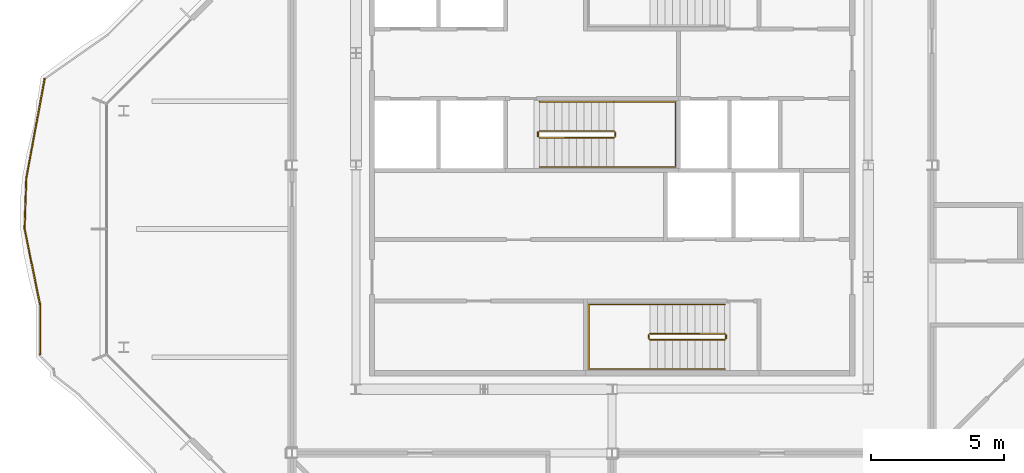
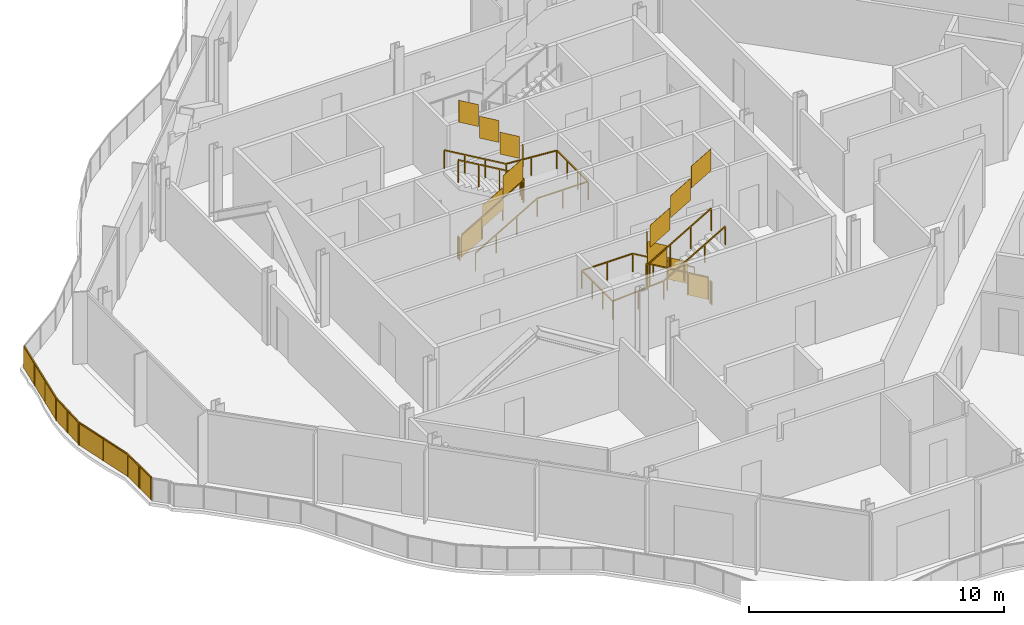
# One storey, part 13 of 16: 7 railings.
"""IFC4 building model written with IfcOpenShell, lengths in metres."""

from ifc_helpers import new_model, si_unit, direction, frame, origin, origin_2d, place, context, subcontext, project, spatial, polyline, rectangle, outline, extrude, material, type_object, element, save


model = new_model("IFC4")

# Units and contexts
model_context = context("Model", 3, precision=1e-05, world=origin(), true_north=direction((0.0, 1.0)))
body_context = subcontext(model_context, "Body", "Model", "MODEL_VIEW")
ifc_project = project(units=[si_unit("LENGTHUNIT", "METRE"), si_unit("AREAUNIT", "SQUARE_METRE"), si_unit("VOLUMEUNIT", "CUBIC_METRE"), si_unit("PLANEANGLEUNIT", "RADIAN"), si_unit("MASSUNIT", "GRAM", prefix="KILO")], contexts=[model_context])

# Site, building, storey
site_placement = place(None, origin())
site = spatial("IfcSite", under=ifc_project, at=site_placement, CompositionType="ELEMENT")
building_placement = place(site_placement, origin())
building = spatial("IfcBuilding", under=site, at=building_placement, Name="Cairn Pilgrim Tower", CompositionType="ELEMENT")
storey_placement = place(building_placement, frame((0.0, 0.0, 267.0)))
storey = spatial("IfcBuildingStorey", under=building, at=storey_placement, Name="L68", CompositionType="ELEMENT", Elevation=267.0)

# Railings
ifc_material_1 = material(Name="Bronze anodised aluminium rail and posts with laminated glass infill", Category="aluminium")
railing_type_1 = type_object("IfcRailingType", Name="BALCONY GUARD 1100", PredefinedType="GUARDRAIL", material=ifc_material_1)
railing_1_placement = place(storey_placement, frame((-14.072021484375, 5.626953125, 0.0)))
element("IfcRailing", 1, at=railing_1_placement, inside=storey, type_object=railing_type_1, Name="Balcony guard BG-6", PredefinedType="GUARDRAIL", context=body_context, shape_type="SweptSolid", body=[
    extrude(rectangle(XDim=0.050048828125, YDim=0.050048828125, at=origin_2d()), frame((0.0, 0.0, 1.0751953125), z_axis=(-0.181772915878, -0.983340534634, 0.0), x_axis=(0.983340534634, -0.181772915878, 0.0)), (0.0, 0.0, 1.0), 3.7861328125),
    extrude(rectangle(XDim=0.050048828125, YDim=0.050048828125, at=origin_2d()), frame((-0.688232421875, -3.72314453125, 1.0751953125), z_axis=(-0.03393345428, -0.999424094507, 0.0), x_axis=(0.999424094507, -0.03393345428, 0.0)), (0.0, 0.0, 1.0), 1.89208984375),
    extrude(rectangle(XDim=0.050048828125, YDim=0.050048828125, at=origin_2d()), frame((-0.75244140625, -5.6142578125, 1.0751953125), z_axis=(0.199407081837, -0.979916739174, 0.0), x_axis=(0.979916739174, 0.199407081837, 0.0)), (0.0, 0.0, 1.0), 2.880859375),
    extrude(rectangle(XDim=0.050048828125, YDim=0.050048828125, at=origin_2d()), frame((-0.177978515625, -8.437255859375, 1.0751953125), z_axis=(0.0, -1.0, 0.0), x_axis=(1.0, 0.0, 0.0)), (0.0, 0.0, 1.0), 1.86767578125),
    extrude(rectangle(XDim=0.050048828125, YDim=0.050048828125, at=origin_2d()), origin(), (0.0, 0.0, 1.0), 1.050048828125),
    extrude(rectangle(XDim=0.050048828125, YDim=0.050048828125, at=origin_2d()), frame((-0.2294921875, -1.240966796875, 0.0)), (0.0, 0.0, 1.0), 1.050048828125),
    extrude(rectangle(XDim=0.050048828125, YDim=0.050048828125, at=origin_2d()), frame((-0.458740234375, -2.482177734375, 0.0)), (0.0, 0.0, 1.0), 1.050048828125),
    extrude(rectangle(XDim=0.050048828125, YDim=0.050048828125, at=origin_2d()), frame((-0.688232421875, -3.72314453125, 0.0)), (0.0, 0.0, 1.0), 1.050048828125),
    extrude(rectangle(XDim=0.050048828125, YDim=0.050048828125, at=origin_2d()), frame((-0.72021484375, -4.668701171875, 0.0)), (0.0, 0.0, 1.0), 1.050048828125),
    extrude(rectangle(XDim=0.050048828125, YDim=0.050048828125, at=origin_2d()), frame((-0.75244140625, -5.6142578125, 0.0)), (0.0, 0.0, 1.0), 1.050048828125),
    extrude(rectangle(XDim=0.050048828125, YDim=0.050048828125, at=origin_2d()), frame((-0.46533203125, -7.02587890625, 0.0)), (0.0, 0.0, 1.0), 1.050048828125),
    extrude(rectangle(XDim=0.050048828125, YDim=0.050048828125, at=origin_2d()), frame((-0.177978515625, -8.437255859375, 0.0)), (0.0, 0.0, 1.0), 1.050048828125),
    extrude(rectangle(XDim=0.050048828125, YDim=0.050048828125, at=origin_2d()), frame((-0.177978515625, -9.37109375, 0.0)), (0.0, 0.0, 1.0), 1.050048828125),
    extrude(rectangle(XDim=0.050048828125, YDim=0.050048828125, at=origin_2d()), frame((-0.177978515625, -10.304931640625, 0.0)), (0.0, 0.0, 1.0), 1.050048828125),
    extrude(outline(polyline([(0.02490234375, 0.0), (1.237060546875, 0.0), (1.237060546875, 1.050048828125), (0.02490234375, 1.050048828125), (0.02490234375, 0.0)])), frame((0.005859375, -0.0009765625, 0.0), z_axis=(-0.983340534634, 0.181772915878, 0.0), x_axis=(-0.181772915878, -0.983340534634, 0.0)), (0.0, 0.0, 1.0), 0.011962890625),
    extrude(outline(polyline([(0.02490234375, 0.0), (1.237060546875, 0.0), (1.237060546875, 1.050048828125), (0.02490234375, 1.050048828125), (0.02490234375, 0.0)])), frame((-0.2236328125, -1.2421875, 0.0), z_axis=(-0.983340534634, 0.181772915878, 0.0), x_axis=(-0.181772915878, -0.983340534634, 0.0)), (0.0, 0.0, 1.0), 0.011962890625),
    extrude(outline(polyline([(0.02490234375, 0.0), (1.237060546875, 0.0), (1.237060546875, 1.050048828125), (0.02490234375, 1.050048828125), (0.02490234375, 0.0)])), frame((-0.452880859375, -2.483154296875, 0.0), z_axis=(-0.983340534634, 0.181772915878, 0.0), x_axis=(-0.181772915878, -0.983340534634, 0.0)), (0.0, 0.0, 1.0), 0.011962890625),
    extrude(outline(polyline([(0.02490234375, 0.0), (0.921142578125, 0.0), (0.921142578125, 1.050048828125), (0.02490234375, 1.050048828125), (0.02490234375, 0.0)])), frame((-0.682373046875, -3.723388671875, 0.0), z_axis=(-0.999424094507, 0.03393345428, 0.0), x_axis=(-0.03393345428, -0.999424094507, 0.0)), (0.0, 0.0, 1.0), 0.011962890625),
    extrude(outline(polyline([(0.02490234375, 0.0), (0.921142578125, 0.0), (0.921142578125, 1.050048828125), (0.02490234375, 1.050048828125), (0.02490234375, 0.0)])), frame((-0.71435546875, -4.6689453125, 0.0), z_axis=(-0.999424094507, 0.03393345428, 0.0), x_axis=(-0.03393345428, -0.999424094507, 0.0)), (0.0, 0.0, 1.0), 0.011962890625),
    extrude(outline(polyline([(0.02490234375, 0.0), (1.415283203125, 0.0), (1.415283203125, 1.050048828125), (0.02490234375, 1.050048828125), (0.02490234375, 0.0)])), frame((-0.74658203125, -5.613037109375, 0.0), z_axis=(-0.979916739174, -0.199407081837, 0.0), x_axis=(0.199407081837, -0.979916739174, 0.0)), (0.0, 0.0, 1.0), 0.011962890625),
    extrude(outline(polyline([(0.02490234375, 0.0), (1.415283203125, 0.0), (1.415283203125, 1.050048828125), (0.02490234375, 1.050048828125), (0.02490234375, 0.0)])), frame((-0.459228515625, -7.024658203125, 0.0), z_axis=(-0.979916739174, -0.199407081837, 0.0), x_axis=(0.199407081837, -0.979916739174, 0.0)), (0.0, 0.0, 1.0), 0.011962890625),
    extrude(outline(polyline([(0.02490234375, 0.0), (0.90869140625, 0.0), (0.90869140625, 1.050048828125), (0.02490234375, 1.050048828125), (0.02490234375, 0.0)])), frame((-0.171875, -8.437255859375, 0.0), z_axis=(-1.0, 0.0, 0.0), x_axis=(0.0, -1.0, 0.0)), (0.0, 0.0, 1.0), 0.011962890625),
    extrude(outline(polyline([(0.02490234375, 0.0), (0.90869140625, 0.0), (0.90869140625, 1.050048828125), (0.02490234375, 1.050048828125), (0.02490234375, 0.0)])), frame((-0.171875, -9.37109375, 0.0), z_axis=(-1.0, 0.0, 0.0), x_axis=(0.0, -1.0, 0.0)), (0.0, 0.0, 1.0), 0.011962890625),
])
ifc_material_2 = material(Name="Painted steel", Category="steel")
railing_type_2 = type_object("IfcRailingType", Name="STAIR GUARD 1100", PredefinedType="GUARDRAIL", material=ifc_material_2)
railing_2_placement = place(storey_placement, frame((11.425048828125, -3.925048828125, 0.16357421875)))
element("IfcRailing", 2, at=railing_2_placement, inside=storey, type_object=railing_type_2, Name="L68 ST-A stair guard 1", PredefinedType="GUARDRAIL", context=body_context, shape_type="SweptSolid", body=[
    extrude(rectangle(XDim=0.048095703125, YDim=0.048095703125, at=origin_2d()), frame((0.0, 0.0, 1.076171875), z_axis=(-0.863360870873, 0.0, 0.504586966384), x_axis=(0.0, -1.0, 0.0)), (0.0, 0.0, 1.0), 3.2431640625),
    extrude(rectangle(XDim=0.048095703125, YDim=0.048095703125, at=origin_2d()), frame((-2.800048828125, 0.0, 2.71240234375), z_axis=(-0.707106781187, -0.707106781187, 0.0), x_axis=(0.707106781187, -0.707106781187, 0.0)), (0.0, 0.0, 1.0), 0.07080078125),
    extrude(rectangle(XDim=0.048095703125, YDim=0.048095703125, at=origin_2d()), frame((-2.85009765625, -0.050048828125, 2.71240234375), z_axis=(0.0, -1.0, 0.0), x_axis=(1.0, 0.0, 0.0)), (0.0, 0.0, 1.0), 0.125),
    extrude(rectangle(XDim=0.048095703125, YDim=0.048095703125, at=origin_2d()), frame((-2.85009765625, -0.175048828125, 2.71240234375), z_axis=(0.280916556609, -0.279546231943, 0.91811752648), x_axis=(0.705375805398, 0.708833529934, 0.0)), (0.0, 0.0, 1.0), 0.17822265625),
    extrude(rectangle(XDim=0.048095703125, YDim=0.048095703125, at=origin_2d()), frame((-2.800048828125, -0.224853515625, 2.8759765625), z_axis=(0.863360870873, 0.0, 0.504586966384), x_axis=(0.0, 1.0, 0.0)), (0.0, 0.0, 1.0), 3.2431640625),
    extrude(rectangle(XDim=0.0419921875, YDim=0.0419921875, at=origin_2d()), origin(), (0.0, 0.0, 1.0), 1.052001953125),
    extrude(rectangle(XDim=0.0419921875, YDim=0.0419921875, at=origin_2d()), frame((-0.933349609375, 0.0, 0.54541015625)), (0.0, 0.0, 1.0), 1.052001953125),
    extrude(rectangle(XDim=0.0419921875, YDim=0.0419921875, at=origin_2d()), frame((-1.86669921875, 0.0, 1.091064453125)), (0.0, 0.0, 1.0), 1.052001953125),
    extrude(rectangle(XDim=0.0419921875, YDim=0.0419921875, at=origin_2d()), frame((-2.800048828125, 0.0, 1.636474609375)), (0.0, 0.0, 1.0), 1.052001953125),
    extrude(rectangle(XDim=0.0419921875, YDim=0.0419921875, at=origin_2d()), frame((-2.85009765625, -0.050048828125, 1.636474609375)), (0.0, 0.0, 1.0), 1.052001953125),
    extrude(rectangle(XDim=0.0419921875, YDim=0.0419921875, at=origin_2d()), frame((-2.85009765625, -0.175048828125, 1.636474609375)), (0.0, 0.0, 1.0), 1.052001953125),
    extrude(rectangle(XDim=0.0419921875, YDim=0.0419921875, at=origin_2d()), frame((-2.800048828125, -0.224853515625, 1.800048828125)), (0.0, 0.0, 1.0), 1.052001953125),
    extrude(rectangle(XDim=0.0419921875, YDim=0.0419921875, at=origin_2d()), frame((-1.86669921875, -0.224853515625, 2.345458984375)), (0.0, 0.0, 1.0), 1.052001953125),
    extrude(rectangle(XDim=0.0419921875, YDim=0.0419921875, at=origin_2d()), frame((-0.933349609375, -0.224853515625, 2.89111328125)), (0.0, 0.0, 1.0), 1.052001953125),
    extrude(rectangle(XDim=0.0419921875, YDim=0.0419921875, at=origin_2d()), frame((0.0, -0.224853515625, 3.4365234375)), (0.0, 0.0, 1.0), 1.052001953125),
    extrude(outline(polyline([(0.02099609375, 0.01220703125), (0.912353515625, 0.533203125), (0.912353515625, 1.585205078125), (0.02099609375, 1.064208984375), (0.02099609375, 0.01220703125)])), frame((0.0, -0.005859375, 0.0), z_axis=(0.0, 1.0, 0.0), x_axis=(-1.0, 0.0, 0.0)), (0.0, 0.0, 1.0), 0.011962890625),
    extrude(outline(polyline([(0.02099609375, 0.557861328125), (0.912353515625, 1.07861328125), (0.912353515625, 2.130615234375), (0.02099609375, 1.60986328125), (0.02099609375, 0.557861328125)])), frame((-0.933349609375, -0.005859375, 0.54541015625), z_axis=(0.0, 1.0, 0.0), x_axis=(-1.0, 0.0, 0.0)), (0.0, 0.0, 1.0), 0.011962890625),
    extrude(outline(polyline([(0.02099609375, 1.103271484375), (0.912353515625, 1.624267578125), (0.912353515625, 2.67626953125), (0.02099609375, 2.1552734375), (0.02099609375, 1.103271484375)])), frame((-1.86669921875, -0.005859375, 1.091064453125), z_axis=(0.0, 1.0, 0.0), x_axis=(-1.0, 0.0, 0.0)), (0.0, 0.0, 1.0), 0.011962890625),
    extrude(outline(polyline([(0.02099609375, 1.636474609375), (0.10400390625, 1.636474609375), (0.10400390625, 2.6884765625), (0.02099609375, 2.6884765625), (0.02099609375, 1.636474609375)])), frame((-2.84423828125, -0.050048828125, 1.636474609375), z_axis=(-1.0, 0.0, 0.0), x_axis=(0.0, -1.0, 0.0)), (0.0, 0.0, 1.0), 0.011962890625),
    extrude(outline(polyline([(0.02099609375, 1.812255859375), (0.912353515625, 2.333251953125), (0.912353515625, 3.38525390625), (0.02099609375, 2.8642578125), (0.02099609375, 1.812255859375)])), frame((-2.800048828125, -0.21875, 1.800048828125), z_axis=(0.0, -1.0, 0.0), x_axis=(1.0, 0.0, 0.0)), (0.0, 0.0, 1.0), 0.011962890625),
    extrude(outline(polyline([(0.02099609375, 2.35791015625), (0.912353515625, 2.878662109375), (0.912353515625, 3.9306640625), (0.02099609375, 3.409912109375), (0.02099609375, 2.35791015625)])), frame((-1.86669921875, -0.21875, 2.345458984375), z_axis=(0.0, -1.0, 0.0), x_axis=(1.0, 0.0, 0.0)), (0.0, 0.0, 1.0), 0.011962890625),
    extrude(outline(polyline([(0.02099609375, 2.9033203125), (0.912353515625, 3.42431640625), (0.912353515625, 4.476318359375), (0.02099609375, 3.955322265625), (0.02099609375, 2.9033203125)])), frame((-0.933349609375, -0.21875, 2.89111328125), z_axis=(0.0, -1.0, 0.0), x_axis=(1.0, 0.0, 0.0)), (0.0, 0.0, 1.0), 0.011962890625),
])
railing_3_placement = place(storey_placement, frame((11.47509765625, -3.97509765625, 0.0)))
element("IfcRailing", 3, at=railing_3_placement, inside=storey, type_object=railing_type_2, Name="L68 ST-A stair guard 2", PredefinedType="GUARDRAIL", context=body_context, shape_type="SweptSolid", body=[
    extrude(rectangle(XDim=0.048095703125, YDim=0.048095703125, at=origin_2d()), frame((0.0, 0.0, 1.076171875), z_axis=(0.0, -1.0, 0.0), x_axis=(1.0, 0.0, 0.0)), (0.0, 0.0, 1.0), 0.125),
    extrude(rectangle(XDim=0.0419921875, YDim=0.0419921875, at=origin_2d()), origin(), (0.0, 0.0, 1.0), 1.052001953125),
    extrude(rectangle(XDim=0.0419921875, YDim=0.0419921875, at=origin_2d()), frame((0.0, -0.125, 0.0)), (0.0, 0.0, 1.0), 1.052001953125),
    extrude(outline(polyline([(0.02099609375, 0.0), (0.10400390625, 0.0), (0.10400390625, 1.052001953125), (0.02099609375, 1.052001953125), (0.02099609375, 0.0)])), frame((0.005859375, 0.0, 0.0), z_axis=(-1.0, 0.0, 0.0), x_axis=(0.0, -1.0, 0.0)), (0.0, 0.0, 1.0), 0.011962890625),
])
railing_4_placement = place(storey_placement, frame((4.47509765625, 3.425048828125, 0.16357421875)))
element("IfcRailing", 4, at=railing_4_placement, inside=storey, type_object=railing_type_2, Name="L68 ST-B stair guard 1", PredefinedType="GUARDRAIL", context=body_context, shape_type="SweptSolid", body=[
    extrude(rectangle(XDim=0.048095703125, YDim=0.048095703125, at=origin_2d()), frame((0.0, 0.0, 1.076171875), z_axis=(0.863341702679, 0.0, 0.504619762213), x_axis=(0.0, 1.0, 0.0)), (0.0, 0.0, 1.0), 3.242919921875),
    extrude(rectangle(XDim=0.048095703125, YDim=0.048095703125, at=origin_2d()), frame((2.7998046875, 0.0, 2.71240234375), z_axis=(0.707106781187, 0.707106781187, 0.0), x_axis=(-0.707106781187, 0.707106781187, 0.0)), (0.0, 0.0, 1.0), 0.07080078125),
    extrude(rectangle(XDim=0.048095703125, YDim=0.048095703125, at=origin_2d()), frame((2.849853515625, 0.050048828125, 2.71240234375), z_axis=(0.0, 1.0, 0.0), x_axis=(-1.0, 0.0, 0.0)), (0.0, 0.0, 1.0), 0.14990234375),
    extrude(rectangle(XDim=0.048095703125, YDim=0.048095703125, at=origin_2d()), frame((2.849853515625, 0.199951171875, 2.71240234375), z_axis=(-0.280808744504, 0.280808744504, 0.917765164963), x_axis=(-0.707106781187, -0.707106781187, 0.0)), (0.0, 0.0, 1.0), 0.17822265625),
    extrude(rectangle(XDim=0.048095703125, YDim=0.048095703125, at=origin_2d()), frame((2.7998046875, 0.25, 2.8759765625), z_axis=(-0.863341702679, 0.0, 0.504619762213), x_axis=(0.0, -1.0, 0.0)), (0.0, 0.0, 1.0), 3.242919921875),
    extrude(rectangle(XDim=0.0419921875, YDim=0.0419921875, at=origin_2d()), origin(), (0.0, 0.0, 1.0), 1.052001953125),
    extrude(rectangle(XDim=0.0419921875, YDim=0.0419921875, at=origin_2d()), frame((0.933349609375, 0.0, 0.54541015625)), (0.0, 0.0, 1.0), 1.052001953125),
    extrude(rectangle(XDim=0.0419921875, YDim=0.0419921875, at=origin_2d()), frame((1.866455078125, 0.0, 1.091064453125)), (0.0, 0.0, 1.0), 1.052001953125),
    extrude(rectangle(XDim=0.0419921875, YDim=0.0419921875, at=origin_2d()), frame((2.7998046875, 0.0, 1.636474609375)), (0.0, 0.0, 1.0), 1.052001953125),
    extrude(rectangle(XDim=0.0419921875, YDim=0.0419921875, at=origin_2d()), frame((2.849853515625, 0.050048828125, 1.636474609375)), (0.0, 0.0, 1.0), 1.052001953125),
    extrude(rectangle(XDim=0.0419921875, YDim=0.0419921875, at=origin_2d()), frame((2.849853515625, 0.199951171875, 1.636474609375)), (0.0, 0.0, 1.0), 1.052001953125),
    extrude(rectangle(XDim=0.0419921875, YDim=0.0419921875, at=origin_2d()), frame((2.7998046875, 0.25, 1.800048828125)), (0.0, 0.0, 1.0), 1.052001953125),
    extrude(rectangle(XDim=0.0419921875, YDim=0.0419921875, at=origin_2d()), frame((1.866455078125, 0.25, 2.345458984375)), (0.0, 0.0, 1.0), 1.052001953125),
    extrude(rectangle(XDim=0.0419921875, YDim=0.0419921875, at=origin_2d()), frame((0.933349609375, 0.25, 2.89111328125)), (0.0, 0.0, 1.0), 1.052001953125),
    extrude(rectangle(XDim=0.0419921875, YDim=0.0419921875, at=origin_2d()), frame((0.0, 0.25, 3.4365234375)), (0.0, 0.0, 1.0), 1.052001953125),
    extrude(outline(polyline([(0.02099609375, 0.01220703125), (0.912353515625, 0.533203125), (0.912353515625, 1.585205078125), (0.02099609375, 1.064208984375), (0.02099609375, 0.01220703125)])), frame((0.0, 0.005859375, 0.0), z_axis=(0.0, -1.0, 0.0), x_axis=(1.0, 0.0, 0.0)), (0.0, 0.0, 1.0), 0.011962890625),
    extrude(outline(polyline([(0.02099609375, 0.557861328125), (0.912353515625, 1.07861328125), (0.912353515625, 2.130615234375), (0.02099609375, 1.60986328125), (0.02099609375, 0.557861328125)])), frame((0.933349609375, 0.005859375, 0.54541015625), z_axis=(0.0, -1.0, 0.0), x_axis=(1.0, 0.0, 0.0)), (0.0, 0.0, 1.0), 0.011962890625),
    extrude(outline(polyline([(0.02099609375, 1.103271484375), (0.912353515625, 1.624267578125), (0.912353515625, 2.67626953125), (0.02099609375, 2.1552734375), (0.02099609375, 1.103271484375)])), frame((1.866455078125, 0.005859375, 1.091064453125), z_axis=(0.0, -1.0, 0.0), x_axis=(1.0, 0.0, 0.0)), (0.0, 0.0, 1.0), 0.011962890625),
    extrude(outline(polyline([(0.02099609375, 1.636474609375), (0.12890625, 1.636474609375), (0.12890625, 2.6884765625), (0.02099609375, 2.6884765625), (0.02099609375, 1.636474609375)])), frame((2.84375, 0.050048828125, 1.636474609375), z_axis=(1.0, 0.0, 0.0), x_axis=(0.0, 1.0, 0.0)), (0.0, 0.0, 1.0), 0.011962890625),
    extrude(outline(polyline([(0.02099609375, 1.812255859375), (0.912353515625, 2.333251953125), (0.912353515625, 3.38525390625), (0.02099609375, 2.8642578125), (0.02099609375, 1.812255859375)])), frame((2.7998046875, 0.244140625, 1.800048828125), z_axis=(0.0, 1.0, 0.0), x_axis=(-1.0, 0.0, 0.0)), (0.0, 0.0, 1.0), 0.011962890625),
    extrude(outline(polyline([(0.02099609375, 2.35791015625), (0.912353515625, 2.878662109375), (0.912353515625, 3.9306640625), (0.02099609375, 3.409912109375), (0.02099609375, 2.35791015625)])), frame((1.866455078125, 0.244140625, 2.345458984375), z_axis=(0.0, 1.0, 0.0), x_axis=(-1.0, 0.0, 0.0)), (0.0, 0.0, 1.0), 0.011962890625),
    extrude(outline(polyline([(0.02099609375, 2.9033203125), (0.912353515625, 3.42431640625), (0.912353515625, 4.476318359375), (0.02099609375, 3.955322265625), (0.02099609375, 2.9033203125)])), frame((0.933349609375, 0.244140625, 2.89111328125), z_axis=(0.0, 1.0, 0.0), x_axis=(-1.0, 0.0, 0.0)), (0.0, 0.0, 1.0), 0.011962890625),
])
railing_5_placement = place(storey_placement, frame((4.425048828125, 3.47509765625, 0.0)))
element("IfcRailing", 5, at=railing_5_placement, inside=storey, type_object=railing_type_2, Name="L68 ST-B stair guard 2", PredefinedType="GUARDRAIL", context=body_context, shape_type="SweptSolid", body=[
    extrude(rectangle(XDim=0.048095703125, YDim=0.048095703125, at=origin_2d()), frame((0.0, 0.0, 1.076171875), z_axis=(0.0, 1.0, 0.0), x_axis=(-1.0, 0.0, 0.0)), (0.0, 0.0, 1.0), 0.14990234375),
    extrude(rectangle(XDim=0.0419921875, YDim=0.0419921875, at=origin_2d()), origin(), (0.0, 0.0, 1.0), 1.052001953125),
    extrude(rectangle(XDim=0.0419921875, YDim=0.0419921875, at=origin_2d()), frame((0.0, 0.14990234375, 0.0)), (0.0, 0.0, 1.0), 1.052001953125),
    extrude(outline(polyline([(0.02099609375, 0.0), (0.12890625, 0.0), (0.12890625, 1.052001953125), (0.02099609375, 1.052001953125), (0.02099609375, 0.0)])), frame((-0.005859375, 0.0, 0.0), z_axis=(1.0, 0.0, 0.0), x_axis=(0.0, 1.0, 0.0)), (0.0, 0.0, 1.0), 0.011962890625),
])
railing_type_3 = type_object("IfcRailingType", Name="STAIR HANDRAIL 900", PredefinedType="HANDRAIL", material=ifc_material_2)
railing_6_placement = place(storey_placement, frame((11.425048828125, -2.824951171875, 0.16357421875)))
element("IfcRailing", 6, at=railing_6_placement, inside=storey, type_object=railing_type_3, Name="L68 ST-A stair handrail 1", PredefinedType="HANDRAIL", context=body_context, shape_type="SweptSolid", body=[
    extrude(rectangle(XDim=0.048095703125, YDim=0.048095703125, at=origin_2d()), frame((0.0, 0.0, 0.8759765625), z_axis=(-0.863360870873, 0.0, 0.504586966384), x_axis=(0.0, -1.0, 0.0)), (0.0, 0.0, 1.0), 3.2431640625),
    extrude(rectangle(XDim=0.048095703125, YDim=0.048095703125, at=origin_2d()), frame((-2.800048828125, 0.0, 2.51220703125), z_axis=(-1.0, 0.0, 0.0), x_axis=(0.0, -1.0, 0.0)), (0.0, 0.0, 1.0), 2.300048828125),
    extrude(rectangle(XDim=0.048095703125, YDim=0.048095703125, at=origin_2d()), frame((-5.10009765625, 0.0, 2.51220703125), z_axis=(0.0, -1.0, 0.0), x_axis=(1.0, 0.0, 0.0)), (0.0, 0.0, 1.0), 2.425048828125),
    extrude(rectangle(XDim=0.048095703125, YDim=0.048095703125, at=origin_2d()), frame((-5.10009765625, -2.425048828125, 2.51220703125), z_axis=(0.997480687736, 0.0, 0.070938548008), x_axis=(0.0, 1.0, 0.0)), (0.0, 0.0, 1.0), 2.305908203125),
    extrude(rectangle(XDim=0.048095703125, YDim=0.048095703125, at=origin_2d()), frame((-2.800048828125, -2.425048828125, 2.67578125), z_axis=(0.863360870873, 0.0, 0.504586966384), x_axis=(0.0, 1.0, 0.0)), (0.0, 0.0, 1.0), 3.2431640625),
    extrude(rectangle(XDim=0.0419921875, YDim=0.0419921875, at=origin_2d()), origin(), (0.0, 0.0, 1.0), 0.851806640625),
    extrude(rectangle(XDim=0.0419921875, YDim=0.0419921875, at=origin_2d()), frame((-0.933349609375, 0.0, 0.54541015625)), (0.0, 0.0, 1.0), 0.851806640625),
    extrude(rectangle(XDim=0.0419921875, YDim=0.0419921875, at=origin_2d()), frame((-1.86669921875, 0.0, 1.091064453125)), (0.0, 0.0, 1.0), 0.851806640625),
    extrude(rectangle(XDim=0.0419921875, YDim=0.0419921875, at=origin_2d()), frame((-2.800048828125, 0.0, 1.636474609375)), (0.0, 0.0, 1.0), 0.851806640625),
    extrude(rectangle(XDim=0.0419921875, YDim=0.0419921875, at=origin_2d()), frame((-3.9501953125, 0.0, 1.636474609375)), (0.0, 0.0, 1.0), 0.851806640625),
    extrude(rectangle(XDim=0.0419921875, YDim=0.0419921875, at=origin_2d()), frame((-5.10009765625, 0.0, 1.636474609375)), (0.0, 0.0, 1.0), 0.851806640625),
    extrude(rectangle(XDim=0.0419921875, YDim=0.0419921875, at=origin_2d()), frame((-5.10009765625, -0.808349609375, 1.636474609375)), (0.0, 0.0, 1.0), 0.851806640625),
    extrude(rectangle(XDim=0.0419921875, YDim=0.0419921875, at=origin_2d()), frame((-5.10009765625, -1.61669921875, 1.636474609375)), (0.0, 0.0, 1.0), 0.851806640625),
    extrude(rectangle(XDim=0.0419921875, YDim=0.0419921875, at=origin_2d()), frame((-5.10009765625, -2.425048828125, 1.636474609375)), (0.0, 0.0, 1.0), 0.851806640625),
    extrude(rectangle(XDim=0.0419921875, YDim=0.0419921875, at=origin_2d()), frame((-3.9501953125, -2.425048828125, 1.71826171875)), (0.0, 0.0, 1.0), 0.851806640625),
    extrude(rectangle(XDim=0.0419921875, YDim=0.0419921875, at=origin_2d()), frame((-2.800048828125, -2.425048828125, 1.800048828125)), (0.0, 0.0, 1.0), 0.851806640625),
    extrude(rectangle(XDim=0.0419921875, YDim=0.0419921875, at=origin_2d()), frame((-1.86669921875, -2.425048828125, 2.345458984375)), (0.0, 0.0, 1.0), 0.851806640625),
    extrude(rectangle(XDim=0.0419921875, YDim=0.0419921875, at=origin_2d()), frame((-0.933349609375, -2.425048828125, 2.89111328125)), (0.0, 0.0, 1.0), 0.851806640625),
    extrude(rectangle(XDim=0.0419921875, YDim=0.0419921875, at=origin_2d()), frame((0.0, -2.425048828125, 3.4365234375)), (0.0, 0.0, 1.0), 0.851806640625),
])
railing_7_placement = place(storey_placement, frame((4.47509765625, 2.324951171875, 0.16357421875)))
element("IfcRailing", 7, at=railing_7_placement, inside=storey, type_object=railing_type_3, Name="L68 ST-B stair handrail 1", PredefinedType="HANDRAIL", context=body_context, shape_type="SweptSolid", body=[
    extrude(rectangle(XDim=0.048095703125, YDim=0.048095703125, at=origin_2d()), frame((0.0, 0.0, 0.8759765625), z_axis=(0.863341702679, 0.0, 0.504619762213), x_axis=(0.0, 1.0, 0.0)), (0.0, 0.0, 1.0), 3.242919921875),
    extrude(rectangle(XDim=0.048095703125, YDim=0.048095703125, at=origin_2d()), frame((2.7998046875, 0.0, 2.51220703125), z_axis=(1.0, 0.0, 0.0), x_axis=(0.0, 1.0, 0.0)), (0.0, 0.0, 1.0), 2.300048828125),
    extrude(rectangle(XDim=0.048095703125, YDim=0.048095703125, at=origin_2d()), frame((5.099853515625, 0.0, 2.51220703125), z_axis=(0.0, 1.0, 0.0), x_axis=(-1.0, 0.0, 0.0)), (0.0, 0.0, 1.0), 2.449951171875),
    extrude(rectangle(XDim=0.048095703125, YDim=0.048095703125, at=origin_2d()), frame((5.099853515625, 2.449951171875, 2.51220703125), z_axis=(-0.997480687736, 0.0, 0.070938548008), x_axis=(0.0, -1.0, 0.0)), (0.0, 0.0, 1.0), 2.305908203125),
    extrude(rectangle(XDim=0.048095703125, YDim=0.048095703125, at=origin_2d()), frame((2.7998046875, 2.449951171875, 2.67578125), z_axis=(-0.863341702679, 0.0, 0.504619762213), x_axis=(0.0, -1.0, 0.0)), (0.0, 0.0, 1.0), 3.242919921875),
    extrude(rectangle(XDim=0.0419921875, YDim=0.0419921875, at=origin_2d()), origin(), (0.0, 0.0, 1.0), 0.851806640625),
    extrude(rectangle(XDim=0.0419921875, YDim=0.0419921875, at=origin_2d()), frame((0.933349609375, 0.0, 0.54541015625)), (0.0, 0.0, 1.0), 0.851806640625),
    extrude(rectangle(XDim=0.0419921875, YDim=0.0419921875, at=origin_2d()), frame((1.866455078125, 0.0, 1.091064453125)), (0.0, 0.0, 1.0), 0.851806640625),
    extrude(rectangle(XDim=0.0419921875, YDim=0.0419921875, at=origin_2d()), frame((2.7998046875, 0.0, 1.636474609375)), (0.0, 0.0, 1.0), 0.851806640625),
    extrude(rectangle(XDim=0.0419921875, YDim=0.0419921875, at=origin_2d()), frame((3.94970703125, 0.0, 1.636474609375)), (0.0, 0.0, 1.0), 0.851806640625),
    extrude(rectangle(XDim=0.0419921875, YDim=0.0419921875, at=origin_2d()), frame((5.099853515625, 0.0, 1.636474609375)), (0.0, 0.0, 1.0), 0.851806640625),
    extrude(rectangle(XDim=0.0419921875, YDim=0.0419921875, at=origin_2d()), frame((5.099853515625, 0.816650390625, 1.636474609375)), (0.0, 0.0, 1.0), 0.851806640625),
    extrude(rectangle(XDim=0.0419921875, YDim=0.0419921875, at=origin_2d()), frame((5.099853515625, 1.63330078125, 1.636474609375)), (0.0, 0.0, 1.0), 0.851806640625),
    extrude(rectangle(XDim=0.0419921875, YDim=0.0419921875, at=origin_2d()), frame((5.099853515625, 2.449951171875, 1.636474609375)), (0.0, 0.0, 1.0), 0.851806640625),
    extrude(rectangle(XDim=0.0419921875, YDim=0.0419921875, at=origin_2d()), frame((3.94970703125, 2.449951171875, 1.71826171875)), (0.0, 0.0, 1.0), 0.851806640625),
    extrude(rectangle(XDim=0.0419921875, YDim=0.0419921875, at=origin_2d()), frame((2.7998046875, 2.449951171875, 1.800048828125)), (0.0, 0.0, 1.0), 0.851806640625),
    extrude(rectangle(XDim=0.0419921875, YDim=0.0419921875, at=origin_2d()), frame((1.866455078125, 2.449951171875, 2.345458984375)), (0.0, 0.0, 1.0), 0.851806640625),
    extrude(rectangle(XDim=0.0419921875, YDim=0.0419921875, at=origin_2d()), frame((0.933349609375, 2.449951171875, 2.89111328125)), (0.0, 0.0, 1.0), 0.851806640625),
    extrude(rectangle(XDim=0.0419921875, YDim=0.0419921875, at=origin_2d()), frame((0.0, 2.449951171875, 3.4365234375)), (0.0, 0.0, 1.0), 0.851806640625),
])

save(model, "model.ifc")
